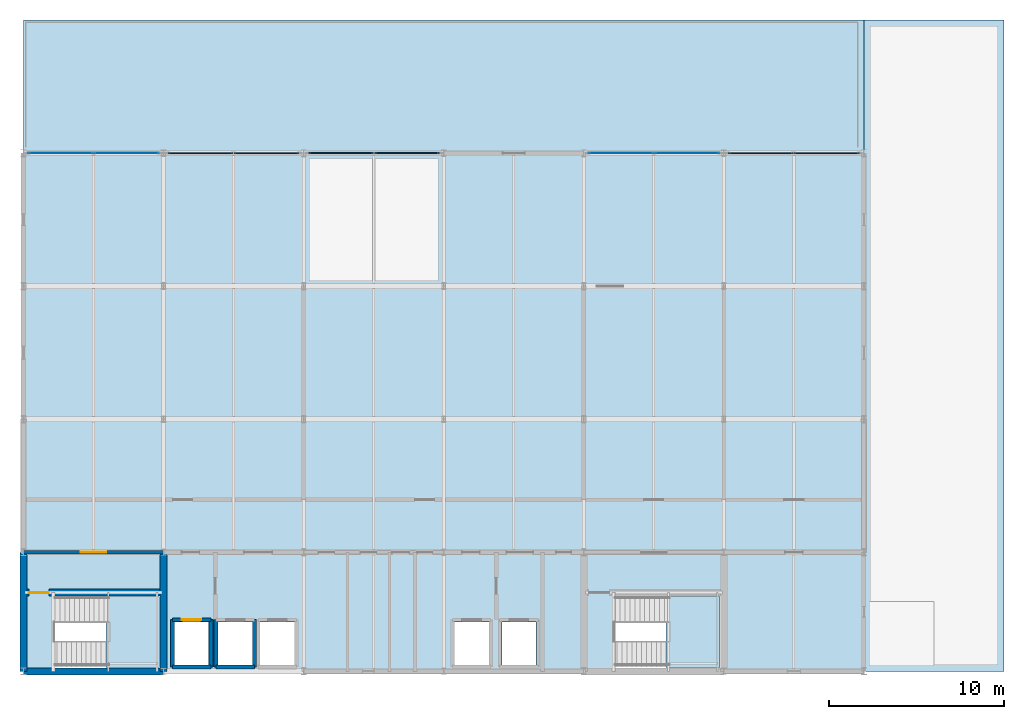
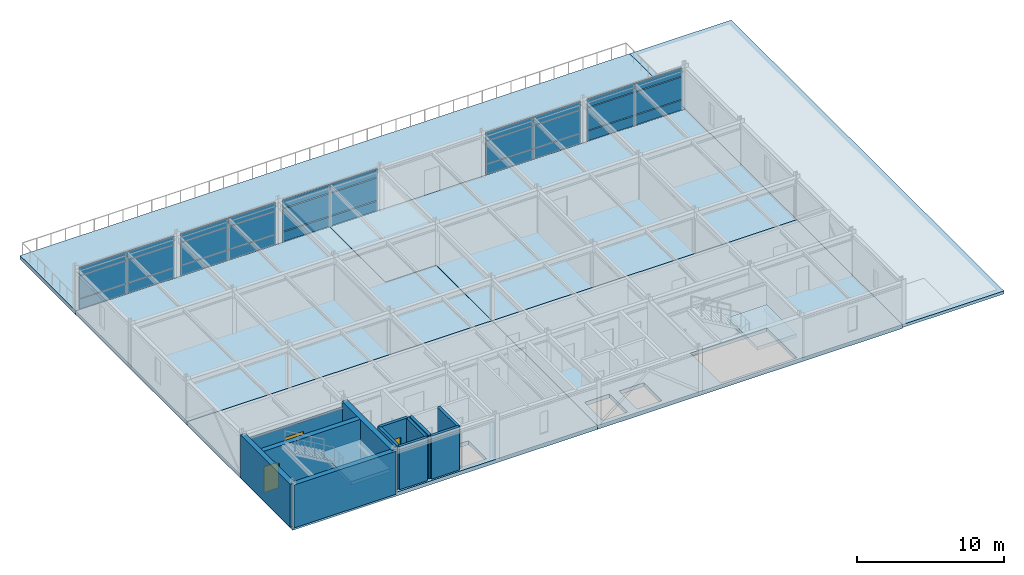
# One storey, part 8 of 12: 30 plates, 12 walls, 8 slabs, 3 doors, 3 openings, 7 elements without a shape of their own.
"""IFC4 building model written with IfcOpenShell, lengths in metres."""

from ifc_helpers import new_model, si_unit, direction, frame, frame_2d, origin, origin_2d, place, context, subcontext, project, spatial, polyline, rectangle, outline, extrude, material, layer, layer_set, type_object, element, fill, aggregate, save


model = new_model("IFC4")

# Units and contexts
model_context = context("Model", 3, precision=1e-05, world=origin(), true_north=direction((0.0, 1.0)))
body_context = subcontext(model_context, "Body", "Model", "MODEL_VIEW")
ifc_project = project(units=[si_unit("LENGTHUNIT", "METRE"), si_unit("AREAUNIT", "SQUARE_METRE"), si_unit("VOLUMEUNIT", "CUBIC_METRE"), si_unit("PLANEANGLEUNIT", "RADIAN"), si_unit("MASSUNIT", "GRAM", prefix="KILO")], contexts=[model_context])

# Site, building, storey
site_placement = place(None, origin())
site = spatial("IfcSite", under=ifc_project, at=site_placement, CompositionType="ELEMENT")
building_placement = place(site_placement, origin())
building = spatial("IfcBuilding", under=site, at=building_placement, Name="Shalkamar Park Central Library", CompositionType="ELEMENT")
storey_placement = place(building_placement, frame((0.0, 0.0, 56.10009765625)))
storey = spatial("IfcBuildingStorey", under=building, at=storey_placement, Name="L14", CompositionType="ELEMENT", Elevation=56.10009765625)

# Slab
ifc_material_1 = material(Name="Concrete C35/45", Category="concrete")
ifc_layer_1 = layer(ifc_material_1, 0.25)
ifc_layer_set_1 = layer_set([ifc_layer_1], Name="Concrete C35/45")
slab_type_1 = type_object("IfcSlabType", Name="Flat Roof Slab 140", PredefinedType="ROOF", material=ifc_layer_set_1)
slab_1_placement = place(storey_placement, frame((0.0, 0.0, -0.25)))
element("IfcSlab", 1, at=slab_1_placement, inside=storey, type_object=slab_type_1, Name="Flat Roof Slab RF-L13-E", PredefinedType="ROOF", context=body_context, shape_type="SweptSolid", body=[
    extrude(outline(polyline([(213.0, 248.39990234375), (221.0, 248.39990234375), (221.0, 285.60009765625), (213.0, 285.60009765625), (213.0, 248.39990234375)])), origin(), (0.0, 0.0, 1.0), 0.25),
])

# Curtain wall, plates
ifc_material_2 = material(Name="Thermally broken aluminium and triple low-e curtain wall", Category="aluminium")
ifc_layer_2 = layer(ifc_material_2, 0.264892578125)
ifc_layer_set_2 = layer_set([ifc_layer_2], Name="UnitisedCurtainWall_99")
curtain_wall_type_1 = type_object("IfcCurtainWallType", Name="Unitised Curtain Wall 99", PredefinedType="USERDEFINED", material=ifc_layer_set_2)
curtain_wall_1_placement = place(storey_placement, origin())
curtain_wall_1 = element("IfcCurtainWall", 2, at=curtain_wall_1_placement, inside=storey, type_object=curtain_wall_type_1, Name="Unitised Curtain Wall CW-L14-153", ObjectType="UNITISED CURTAIN WALL", PredefinedType="USERDEFINED")
ifc_material_3 = material(Name="Insulated aluminium spandrel panel", Category="aluminium")
ifc_layer_3 = layer(ifc_material_3, 0.080078125)
ifc_layer_set_3 = layer_set([ifc_layer_3], Name="SpandrelShadowboxPanel_80")
plate_type_1 = type_object("IfcPlateType", Name="Spandrel Shadowbox Panel 80", PredefinedType="CURTAIN_PANEL", material=ifc_layer_set_3)
plate_1_placement = place(storey_placement, frame((183.128173828125, 278.0, 0.06982421875), z_axis=(0.0, 0.0, 1.0), x_axis=(1.0, 0.0, 0.0)))
plate_1 = element("IfcPlate", 3, at=plate_1_placement, type_object=plate_type_1, Name="CW-99 panel 1.1", PredefinedType="CURTAIN_PANEL", context=body_context, shape_type="SweptSolid", body=[
    extrude(rectangle(XDim=3.678466796875, YDim=0.080078125, at=origin_2d()), origin(), (0.0, 0.0, 1.0), 0.794921875),
])
plate_2_placement = place(storey_placement, frame((183.128173828125, 278.0, 0.93505859375), z_axis=(0.0, 0.0, 1.0), x_axis=(1.0, 0.0, 0.0)))
plate_2 = element("IfcPlate", 4, at=plate_2_placement, type_object=plate_type_1, Name="CW-99 panel 1.2", PredefinedType="CURTAIN_PANEL", context=body_context, shape_type="SweptSolid", body=[
    extrude(rectangle(XDim=3.678466796875, YDim=0.080078125, at=origin_2d()), origin(), (0.0, 0.0, 1.0), 1.860107421875),
])
plate_3_placement = place(storey_placement, frame((183.128173828125, 278.0, 2.864990234375), z_axis=(0.0, 0.0, 1.0), x_axis=(1.0, 0.0, 0.0)))
plate_3 = element("IfcPlate", 5, at=plate_3_placement, type_object=plate_type_1, Name="CW-99 panel 1.3", PredefinedType="CURTAIN_PANEL", context=body_context, shape_type="SweptSolid", body=[
    extrude(rectangle(XDim=3.678466796875, YDim=0.080078125, at=origin_2d()), origin(), (0.0, 0.0, 1.0), 0.64501953125),
])
plate_4_placement = place(storey_placement, frame((186.891845703125, 278.0, 0.06982421875), z_axis=(0.0, 0.0, 1.0), x_axis=(1.0, 0.0, 0.0)))
plate_4 = element("IfcPlate", 6, at=plate_4_placement, type_object=plate_type_1, Name="CW-99 panel 2.1", PredefinedType="CURTAIN_PANEL", context=body_context, shape_type="SweptSolid", body=[
    extrude(rectangle(XDim=3.678466796875, YDim=0.080078125, at=origin_2d()), origin(), (0.0, 0.0, 1.0), 0.794921875),
])
plate_5_placement = place(storey_placement, frame((186.891845703125, 278.0, 0.93505859375), z_axis=(0.0, 0.0, 1.0), x_axis=(1.0, 0.0, 0.0)))
plate_5 = element("IfcPlate", 7, at=plate_5_placement, type_object=plate_type_1, Name="CW-99 panel 2.2", PredefinedType="CURTAIN_PANEL", context=body_context, shape_type="SweptSolid", body=[
    extrude(rectangle(XDim=3.678466796875, YDim=0.080078125, at=origin_2d()), origin(), (0.0, 0.0, 1.0), 1.860107421875),
])
plate_6_placement = place(storey_placement, frame((186.891845703125, 278.0, 2.864990234375), z_axis=(0.0, 0.0, 1.0), x_axis=(1.0, 0.0, 0.0)))
plate_6 = element("IfcPlate", 8, at=plate_6_placement, type_object=plate_type_1, Name="CW-99 panel 2.3", PredefinedType="CURTAIN_PANEL", context=body_context, shape_type="SweptSolid", body=[
    extrude(rectangle(XDim=3.678466796875, YDim=0.080078125, at=origin_2d()), origin(), (0.0, 0.0, 1.0), 0.64501953125),
])
aggregate(curtain_wall_1, [plate_1, plate_2, plate_3, plate_4, plate_5, plate_6])

# Stair, slab
stair_type = type_object("IfcStairType", Name="Protected Dog Leg Stair 150x390", PredefinedType="TWO_STRAIGHT_RUN_STAIR", material=ifc_material_1)
stair_1_placement = place(storey_placement, origin())
stair_1 = element("IfcStair", 9, at=stair_1_placement, inside=storey, type_object=stair_type, Name="Protected Core Stair ST-T1-L14", PredefinedType="TWO_STRAIGHT_RUN_STAIR")
ifc_layer_4 = layer(ifc_material_1, 0.280029296875)
ifc_layer_set_4 = layer_set([ifc_layer_4], Name="Concrete C35/45")
slab_type_2 = type_object("IfcSlabType", Name="Stair Landing Slab 160", PredefinedType="LANDING", material=ifc_layer_set_4)
slab_2_placement = place(storey_placement, frame((0.0, 0.0, 1.669921875)))
slab_2 = element("IfcSlab", 10, at=slab_2_placement, type_object=slab_type_2, Name="ST-T1-L14 landing 1", PredefinedType="LANDING", context=body_context, shape_type="SweptSolid", body=[
    extrude(outline(polyline([(169.699951171875, 248.6201171875), (172.780029296875, 248.6201171875), (172.780029296875, 252.679931640625), (169.699951171875, 252.679931640625), (169.699951171875, 248.6201171875)])), origin(), (0.0, 0.0, 1.0), 0.280029296875),
])
aggregate(stair_1, [slab_2])

stair_2_placement = place(storey_placement, origin())
stair_2 = element("IfcStair", 11, at=stair_2_placement, inside=storey, type_object=stair_type, Name="Protected Core Stair ST-T2-L14", PredefinedType="TWO_STRAIGHT_RUN_STAIR")
slab_3_placement = place(storey_placement, frame((0.0, 0.0, 1.669921875)))
slab_3 = element("IfcSlab", 12, at=slab_3_placement, type_object=slab_type_2, Name="ST-T2-L14 landing 1", PredefinedType="LANDING", context=body_context, shape_type="SweptSolid", body=[
    extrude(outline(polyline([(201.699951171875, 248.6201171875), (204.780029296875, 248.6201171875), (204.780029296875, 252.679931640625), (201.699951171875, 252.679931640625), (201.699951171875, 248.6201171875)])), origin(), (0.0, 0.0, 1.0), 0.280029296875),
])
aggregate(stair_2, [slab_3])

# Slabs
ifc_layer_5 = layer(ifc_material_1, 0.320068359375)
ifc_layer_set_5 = layer_set([ifc_layer_5], Name="Concrete C35/45")
slab_type_3 = type_object("IfcSlabType", Name="Suspended Floor Slab 320", PredefinedType="FLOOR", material=ifc_layer_set_5)
slab_4_placement = place(storey_placement, frame((0.0, 0.0, -0.320068359375)))
element("IfcSlab", 13, at=slab_4_placement, inside=storey, type_object=slab_type_3, Name="Level L14 Composite Floor Slab NW", PredefinedType="FLOOR", context=body_context, shape_type="SweptSolid", body=[
    extrude(outline(polyline([(165.0, 262.800048828125), (188.989990234375, 262.800048828125), (188.989990234375, 270.389892578125), (184.989990234375, 270.389892578125), (184.989990234375, 278.0), (165.0, 278.0), (165.0, 262.800048828125)])), origin(), (0.0, 0.0, 1.0), 0.320068359375),
])
slab_5_placement = place(storey_placement, frame((0.0, 0.0, -0.320068359375)))
element("IfcSlab", 14, at=slab_5_placement, inside=storey, type_object=slab_type_3, Name="Level L14 Composite Floor Slab NE", PredefinedType="FLOOR", context=body_context, shape_type="SweptSolid", body=[
    extrude(outline(polyline([(189.010009765625, 262.800048828125), (213.0, 262.800048828125), (213.0, 278.0), (185.010009765625, 278.0), (185.010009765625, 270.409912109375), (189.010009765625, 270.409912109375), (189.010009765625, 262.800048828125)])), origin(), (0.0, 0.0, 1.0), 0.320068359375),
])
slab_6_placement = place(storey_placement, frame((0.0, 0.0, -0.320068359375)))
element("IfcSlab", 15, at=slab_6_placement, inside=storey, type_object=slab_type_3, Name="Level L14 Composite Floor Slab SW", PredefinedType="FLOOR", context=body_context, shape_type="SweptSolid", body=[
    extrude(outline(polyline([(165.0, 248.39990234375), (165.0, 262.800048828125), (189.0, 262.800048828125), (189.0, 248.39990234375), (165.0, 248.39990234375)]), holes=[polyline([(173.6201171875, 248.77001953125), (175.580078125, 248.77001953125), (175.580078125, 251.22998046875), (173.6201171875, 251.22998046875), (173.6201171875, 248.77001953125)]), polyline([(176.1201171875, 251.22998046875), (176.1201171875, 248.77001953125), (178.080078125, 248.77001953125), (178.080078125, 251.22998046875), (176.1201171875, 251.22998046875)]), polyline([(178.52001953125, 251.22998046875), (178.52001953125, 248.77001953125), (180.47998046875, 248.77001953125), (180.47998046875, 251.22998046875), (178.52001953125, 251.22998046875)]), polyline([(166.800048828125, 252.699951171875), (166.800048828125, 248.60009765625), (172.800048828125, 248.60009765625), (172.800048828125, 252.699951171875), (166.800048828125, 252.699951171875)])]), origin(), (0.0, 0.0, 1.0), 0.320068359375),
])
slab_7_placement = place(storey_placement, frame((0.0, 0.0, -0.320068359375)))
element("IfcSlab", 16, at=slab_7_placement, inside=storey, type_object=slab_type_3, Name="Level L14 Composite Floor Slab SE", PredefinedType="FLOOR", context=body_context, shape_type="SweptSolid", body=[
    extrude(outline(polyline([(189.0, 248.39990234375), (189.0, 262.800048828125), (213.0, 262.800048828125), (213.0, 248.39990234375), (189.0, 248.39990234375)]), holes=[polyline([(189.6201171875, 251.22998046875), (189.6201171875, 248.77001953125), (191.580078125, 248.77001953125), (191.580078125, 251.22998046875), (189.6201171875, 251.22998046875)]), polyline([(192.320068359375, 251.22998046875), (192.320068359375, 248.77001953125), (194.280029296875, 248.77001953125), (194.280029296875, 251.22998046875), (192.320068359375, 251.22998046875)]), polyline([(198.800048828125, 252.699951171875), (198.800048828125, 248.60009765625), (204.800048828125, 248.60009765625), (204.800048828125, 252.699951171875), (198.800048828125, 252.699951171875)])]), origin(), (0.0, 0.0, 1.0), 0.320068359375),
])
slab_8_placement = place(storey_placement, frame((0.0, 0.0, -0.320068359375)))
element("IfcSlab", 17, at=slab_8_placement, inside=storey, type_object=slab_type_3, Name="Outdoor Reading Terrace Slab TER-L14-N", PredefinedType="FLOOR", context=body_context, shape_type="SweptSolid", body=[
    extrude(outline(polyline([(165.0, 278.0), (213.0, 278.0), (213.0, 285.60009765625), (165.0, 285.60009765625), (165.0, 278.0)])), origin(), (0.0, 0.0, 1.0), 0.320068359375),
])

# Curtain wall, plates
ifc_layer_6 = layer(ifc_material_2, 0.27001953125)
ifc_layer_set_6 = layer_set([ifc_layer_6], Name="UnitisedCurtainWall_98")
curtain_wall_type_2 = type_object("IfcCurtainWallType", Name="Unitised Curtain Wall 98", PredefinedType="USERDEFINED", material=ifc_layer_set_6)
curtain_wall_2_placement = place(storey_placement, origin())
curtain_wall_2 = element("IfcCurtainWall", 18, at=curtain_wall_2_placement, inside=storey, type_object=curtain_wall_type_2, Name="Unitised Curtain Wall CW-L14-152", ObjectType="UNITISED CURTAIN WALL", PredefinedType="USERDEFINED")
ifc_material_4 = material(Name="Triple-glazed laminated glass", Category="glass")
ifc_layer_7 = layer(ifc_material_4, 0.06005859375)
ifc_layer_set_7 = layer_set([ifc_layer_7], Name="TripleGlazedPodiumPanel_60")
plate_type_2 = type_object("IfcPlateType", Name="Triple Glazed Podium Panel 60", PredefinedType="CURTAIN_PANEL", material=ifc_layer_set_7)
plate_7_placement = place(storey_placement, frame((175.10693359375, 278.0, 0.06494140625), z_axis=(0.0, 0.0, 1.0), x_axis=(1.0, 0.0, 0.0)))
plate_7 = element("IfcPlate", 19, at=plate_7_placement, type_object=plate_type_2, Name="CW-98 panel 1.1", PredefinedType="CURTAIN_PANEL", context=body_context, shape_type="SweptSolid", body=[
    extrude(rectangle(XDim=3.68603515625, YDim=0.06005859375, at=origin_2d()), origin(), (0.0, 0.0, 1.0), 0.802490234375),
])
plate_8_placement = place(storey_placement, frame((175.10693359375, 278.0, 0.9326171875), z_axis=(0.0, 0.0, 1.0), x_axis=(1.0, 0.0, 0.0)))
plate_8 = element("IfcPlate", 20, at=plate_8_placement, type_object=plate_type_2, Name="CW-98 panel 1.2", PredefinedType="CURTAIN_PANEL", context=body_context, shape_type="SweptSolid", body=[
    extrude(rectangle(XDim=3.68603515625, YDim=0.06005859375, at=origin_2d()), origin(), (0.0, 0.0, 1.0), 1.864990234375),
])
plate_9_placement = place(storey_placement, frame((175.10693359375, 278.0, 2.8623046875), z_axis=(0.0, 0.0, 1.0), x_axis=(1.0, 0.0, 0.0)))
plate_9 = element("IfcPlate", 21, at=plate_9_placement, type_object=plate_type_2, Name="CW-98 panel 1.3", PredefinedType="CURTAIN_PANEL", context=body_context, shape_type="SweptSolid", body=[
    extrude(rectangle(XDim=3.68603515625, YDim=0.06005859375, at=origin_2d()), origin(), (0.0, 0.0, 1.0), 0.652587890625),
])
plate_10_placement = place(storey_placement, frame((178.873046875, 278.0, 0.06494140625), z_axis=(0.0, 0.0, 1.0), x_axis=(1.0, 0.0, 0.0)))
plate_10 = element("IfcPlate", 22, at=plate_10_placement, type_object=plate_type_2, Name="CW-98 panel 2.1", PredefinedType="CURTAIN_PANEL", context=body_context, shape_type="SweptSolid", body=[
    extrude(rectangle(XDim=3.68603515625, YDim=0.06005859375, at=origin_2d()), origin(), (0.0, 0.0, 1.0), 0.802490234375),
])
plate_11_placement = place(storey_placement, frame((178.873046875, 278.0, 0.9326171875), z_axis=(0.0, 0.0, 1.0), x_axis=(1.0, 0.0, 0.0)))
plate_11 = element("IfcPlate", 23, at=plate_11_placement, type_object=plate_type_2, Name="CW-98 panel 2.2", PredefinedType="CURTAIN_PANEL", context=body_context, shape_type="SweptSolid", body=[
    extrude(rectangle(XDim=3.68603515625, YDim=0.06005859375, at=origin_2d()), origin(), (0.0, 0.0, 1.0), 1.864990234375),
])
plate_12_placement = place(storey_placement, frame((178.873046875, 278.0, 2.8623046875), z_axis=(0.0, 0.0, 1.0), x_axis=(1.0, 0.0, 0.0)))
plate_12 = element("IfcPlate", 24, at=plate_12_placement, type_object=plate_type_2, Name="CW-98 panel 2.3", PredefinedType="CURTAIN_PANEL", context=body_context, shape_type="SweptSolid", body=[
    extrude(rectangle(XDim=3.68603515625, YDim=0.06005859375, at=origin_2d()), origin(), (0.0, 0.0, 1.0), 0.652587890625),
])
aggregate(curtain_wall_2, [plate_7, plate_8, plate_9, plate_10, plate_11, plate_12])

ifc_layer_8 = layer(ifc_material_2, 0.260009765625)
ifc_layer_set_8 = layer_set([ifc_layer_8], Name="UnitisedCurtainWall_101")
curtain_wall_type_3 = type_object("IfcCurtainWallType", Name="Unitised Curtain Wall 101", PredefinedType="USERDEFINED", material=ifc_layer_set_8)
curtain_wall_3_placement = place(storey_placement, origin())
curtain_wall_3 = element("IfcCurtainWall", 25, at=curtain_wall_3_placement, inside=storey, type_object=curtain_wall_type_3, Name="Unitised Curtain Wall CW-L14-155", ObjectType="UNITISED CURTAIN WALL", PredefinedType="USERDEFINED")
plate_13_placement = place(storey_placement, frame((207.105712890625, 278.0, 0.059814453125), z_axis=(0.0, 0.0, 1.0), x_axis=(1.0, 0.0, 0.0)))
plate_13 = element("IfcPlate", 26, at=plate_13_placement, type_object=plate_type_2, Name="CW-101 panel 1.1", PredefinedType="CURTAIN_PANEL", context=body_context, shape_type="SweptSolid", body=[
    extrude(rectangle(XDim=3.693603515625, YDim=0.06005859375, at=origin_2d()), origin(), (0.0, 0.0, 1.0), 0.81005859375),
])
plate_14_placement = place(storey_placement, frame((207.105712890625, 278.0, 0.929931640625), z_axis=(0.0, 0.0, 1.0), x_axis=(1.0, 0.0, 0.0)))
plate_14 = element("IfcPlate", 27, at=plate_14_placement, type_object=plate_type_2, Name="CW-101 panel 1.2", PredefinedType="CURTAIN_PANEL", context=body_context, shape_type="SweptSolid", body=[
    extrude(rectangle(XDim=3.693603515625, YDim=0.06005859375, at=origin_2d()), origin(), (0.0, 0.0, 1.0), 1.8701171875),
])
plate_15_placement = place(storey_placement, frame((207.105712890625, 278.0, 2.85986328125), z_axis=(0.0, 0.0, 1.0), x_axis=(1.0, 0.0, 0.0)))
plate_15 = element("IfcPlate", 28, at=plate_15_placement, type_object=plate_type_2, Name="CW-101 panel 1.3", PredefinedType="CURTAIN_PANEL", context=body_context, shape_type="SweptSolid", body=[
    extrude(rectangle(XDim=3.693603515625, YDim=0.06005859375, at=origin_2d()), origin(), (0.0, 0.0, 1.0), 0.659912109375),
])
plate_16_placement = place(storey_placement, frame((210.874267578125, 278.0, 0.059814453125), z_axis=(0.0, 0.0, 1.0), x_axis=(1.0, 0.0, 0.0)))
plate_16 = element("IfcPlate", 29, at=plate_16_placement, type_object=plate_type_2, Name="CW-101 panel 2.1", PredefinedType="CURTAIN_PANEL", context=body_context, shape_type="SweptSolid", body=[
    extrude(rectangle(XDim=3.693603515625, YDim=0.06005859375, at=origin_2d()), origin(), (0.0, 0.0, 1.0), 0.81005859375),
])
plate_17_placement = place(storey_placement, frame((210.874267578125, 278.0, 0.929931640625), z_axis=(0.0, 0.0, 1.0), x_axis=(1.0, 0.0, 0.0)))
plate_17 = element("IfcPlate", 30, at=plate_17_placement, type_object=plate_type_2, Name="CW-101 panel 2.2", PredefinedType="CURTAIN_PANEL", context=body_context, shape_type="SweptSolid", body=[
    extrude(rectangle(XDim=3.693603515625, YDim=0.06005859375, at=origin_2d()), origin(), (0.0, 0.0, 1.0), 1.8701171875),
])
plate_18_placement = place(storey_placement, frame((210.874267578125, 278.0, 2.85986328125), z_axis=(0.0, 0.0, 1.0), x_axis=(1.0, 0.0, 0.0)))
plate_18 = element("IfcPlate", 31, at=plate_18_placement, type_object=plate_type_2, Name="CW-101 panel 2.3", PredefinedType="CURTAIN_PANEL", context=body_context, shape_type="SweptSolid", body=[
    extrude(rectangle(XDim=3.693603515625, YDim=0.06005859375, at=origin_2d()), origin(), (0.0, 0.0, 1.0), 0.659912109375),
])
aggregate(curtain_wall_3, [plate_13, plate_14, plate_15, plate_16, plate_17, plate_18])

ifc_layer_9 = layer(ifc_material_2, 0.2548828125)
ifc_layer_set_9 = layer_set([ifc_layer_9], Name="UnitisedCurtainWall_97")
curtain_wall_type_4 = type_object("IfcCurtainWallType", Name="Unitised Curtain Wall 97", PredefinedType="USERDEFINED", material=ifc_layer_set_9)
curtain_wall_4_placement = place(storey_placement, origin())
curtain_wall_4 = element("IfcCurtainWall", 32, at=curtain_wall_4_placement, inside=storey, type_object=curtain_wall_type_4, Name="Unitised Curtain Wall CW-L14-151", ObjectType="UNITISED CURTAIN WALL", PredefinedType="USERDEFINED")
ifc_material_5 = material(Name="Triple-glazed low-e safety glass", Category="glass")
ifc_layer_10 = layer(ifc_material_5, 0.0439453125)
ifc_layer_set_10 = layer_set([ifc_layer_10], Name="TripleGlazedVisionPanel_44")
plate_type_3 = type_object("IfcPlateType", Name="Triple Glazed Vision Panel 44", PredefinedType="CURTAIN_PANEL", material=ifc_layer_set_10)
plate_19_placement = place(storey_placement, frame((167.126953125, 278.0, 0.06494140625), z_axis=(0.0, 0.0, 1.0), x_axis=(1.0, 0.0, 0.0)))
plate_19 = element("IfcPlate", 33, at=plate_19_placement, type_object=plate_type_3, Name="CW-97 panel 1.1", PredefinedType="CURTAIN_PANEL", context=body_context, shape_type="SweptSolid", body=[
    extrude(rectangle(XDim=3.68603515625, YDim=0.0439453125, at=origin_2d()), origin(), (0.0, 0.0, 1.0), 0.802490234375),
])
plate_20_placement = place(storey_placement, frame((167.126953125, 278.0, 0.9326171875), z_axis=(0.0, 0.0, 1.0), x_axis=(1.0, 0.0, 0.0)))
plate_20 = element("IfcPlate", 34, at=plate_20_placement, type_object=plate_type_3, Name="CW-97 panel 1.2", PredefinedType="CURTAIN_PANEL", context=body_context, shape_type="SweptSolid", body=[
    extrude(rectangle(XDim=3.68603515625, YDim=0.0439453125, at=origin_2d()), origin(), (0.0, 0.0, 1.0), 1.864990234375),
])
plate_21_placement = place(storey_placement, frame((167.126953125, 278.0, 2.8623046875), z_axis=(0.0, 0.0, 1.0), x_axis=(1.0, 0.0, 0.0)))
plate_21 = element("IfcPlate", 35, at=plate_21_placement, type_object=plate_type_3, Name="CW-97 panel 1.3", PredefinedType="CURTAIN_PANEL", context=body_context, shape_type="SweptSolid", body=[
    extrude(rectangle(XDim=3.68603515625, YDim=0.0439453125, at=origin_2d()), origin(), (0.0, 0.0, 1.0), 0.652587890625),
])
plate_22_placement = place(storey_placement, frame((170.89306640625, 278.0, 0.06494140625), z_axis=(0.0, 0.0, 1.0), x_axis=(1.0, 0.0, 0.0)))
plate_22 = element("IfcPlate", 36, at=plate_22_placement, type_object=plate_type_3, Name="CW-97 panel 2.1", PredefinedType="CURTAIN_PANEL", context=body_context, shape_type="SweptSolid", body=[
    extrude(rectangle(XDim=3.68603515625, YDim=0.0439453125, at=origin_2d()), origin(), (0.0, 0.0, 1.0), 0.802490234375),
])
plate_23_placement = place(storey_placement, frame((170.89306640625, 278.0, 0.9326171875), z_axis=(0.0, 0.0, 1.0), x_axis=(1.0, 0.0, 0.0)))
plate_23 = element("IfcPlate", 37, at=plate_23_placement, type_object=plate_type_3, Name="CW-97 panel 2.2", PredefinedType="CURTAIN_PANEL", context=body_context, shape_type="SweptSolid", body=[
    extrude(rectangle(XDim=3.68603515625, YDim=0.0439453125, at=origin_2d()), origin(), (0.0, 0.0, 1.0), 1.864990234375),
])
plate_24_placement = place(storey_placement, frame((170.89306640625, 278.0, 2.8623046875), z_axis=(0.0, 0.0, 1.0), x_axis=(1.0, 0.0, 0.0)))
plate_24 = element("IfcPlate", 38, at=plate_24_placement, type_object=plate_type_3, Name="CW-97 panel 2.3", PredefinedType="CURTAIN_PANEL", context=body_context, shape_type="SweptSolid", body=[
    extrude(rectangle(XDim=3.68603515625, YDim=0.0439453125, at=origin_2d()), origin(), (0.0, 0.0, 1.0), 0.652587890625),
])
aggregate(curtain_wall_4, [plate_19, plate_20, plate_21, plate_22, plate_23, plate_24])

ifc_layer_11 = layer(ifc_material_2, 0.25)
ifc_layer_set_11 = layer_set([ifc_layer_11], Name="UnitisedCurtainWall_100")
curtain_wall_type_5 = type_object("IfcCurtainWallType", Name="Unitised Curtain Wall 100", PredefinedType="USERDEFINED", material=ifc_layer_set_11)
curtain_wall_5_placement = place(storey_placement, origin())
curtain_wall_5 = element("IfcCurtainWall", 39, at=curtain_wall_5_placement, inside=storey, type_object=curtain_wall_type_5, Name="Unitised Curtain Wall CW-L14-154", ObjectType="UNITISED CURTAIN WALL", PredefinedType="USERDEFINED")
plate_25_placement = place(storey_placement, frame((199.125732421875, 278.0, 0.059814453125), z_axis=(0.0, 0.0, 1.0), x_axis=(1.0, 0.0, 0.0)))
plate_25 = element("IfcPlate", 40, at=plate_25_placement, type_object=plate_type_3, Name="CW-100 panel 1.1", PredefinedType="CURTAIN_PANEL", context=body_context, shape_type="SweptSolid", body=[
    extrude(rectangle(XDim=3.693603515625, YDim=0.0439453125, at=origin_2d()), origin(), (0.0, 0.0, 1.0), 0.81005859375),
])
plate_26_placement = place(storey_placement, frame((199.125732421875, 278.0, 0.929931640625), z_axis=(0.0, 0.0, 1.0), x_axis=(1.0, 0.0, 0.0)))
plate_26 = element("IfcPlate", 41, at=plate_26_placement, type_object=plate_type_3, Name="CW-100 panel 1.2", PredefinedType="CURTAIN_PANEL", context=body_context, shape_type="SweptSolid", body=[
    extrude(rectangle(XDim=3.693603515625, YDim=0.0439453125, at=origin_2d()), origin(), (0.0, 0.0, 1.0), 1.8701171875),
])
plate_27_placement = place(storey_placement, frame((199.125732421875, 278.0, 2.85986328125), z_axis=(0.0, 0.0, 1.0), x_axis=(1.0, 0.0, 0.0)))
plate_27 = element("IfcPlate", 42, at=plate_27_placement, type_object=plate_type_3, Name="CW-100 panel 1.3", PredefinedType="CURTAIN_PANEL", context=body_context, shape_type="SweptSolid", body=[
    extrude(rectangle(XDim=3.693603515625, YDim=0.0439453125, at=origin_2d()), origin(), (0.0, 0.0, 1.0), 0.659912109375),
])
plate_28_placement = place(storey_placement, frame((202.894287109375, 278.0, 0.059814453125), z_axis=(0.0, 0.0, 1.0), x_axis=(1.0, 0.0, 0.0)))
plate_28 = element("IfcPlate", 43, at=plate_28_placement, type_object=plate_type_3, Name="CW-100 panel 2.1", PredefinedType="CURTAIN_PANEL", context=body_context, shape_type="SweptSolid", body=[
    extrude(rectangle(XDim=3.693603515625, YDim=0.0439453125, at=origin_2d()), origin(), (0.0, 0.0, 1.0), 0.81005859375),
])
plate_29_placement = place(storey_placement, frame((202.894287109375, 278.0, 0.929931640625), z_axis=(0.0, 0.0, 1.0), x_axis=(1.0, 0.0, 0.0)))
plate_29 = element("IfcPlate", 44, at=plate_29_placement, type_object=plate_type_3, Name="CW-100 panel 2.2", PredefinedType="CURTAIN_PANEL", context=body_context, shape_type="SweptSolid", body=[
    extrude(rectangle(XDim=3.693603515625, YDim=0.0439453125, at=origin_2d()), origin(), (0.0, 0.0, 1.0), 1.8701171875),
])
plate_30_placement = place(storey_placement, frame((202.894287109375, 278.0, 2.85986328125), z_axis=(0.0, 0.0, 1.0), x_axis=(1.0, 0.0, 0.0)))
plate_30 = element("IfcPlate", 45, at=plate_30_placement, type_object=plate_type_3, Name="CW-100 panel 2.3", PredefinedType="CURTAIN_PANEL", context=body_context, shape_type="SweptSolid", body=[
    extrude(rectangle(XDim=3.693603515625, YDim=0.0439453125, at=origin_2d()), origin(), (0.0, 0.0, 1.0), 0.659912109375),
])
aggregate(curtain_wall_5, [plate_25, plate_26, plate_27, plate_28, plate_29, plate_30])

# Wall, opening, door
ifc_material_6 = material(Name="Fire-rated corridor partition wall", Category="masonry")
ifc_layer_12 = layer(ifc_material_6, 0.199951171875)
ifc_layer_set_12 = layer_set([ifc_layer_12], Name="CorridorFireWall_200")
wall_type_1 = type_object("IfcWallType", Name="Corridor Fire Wall 200", PredefinedType="PARTITIONING", material=ifc_layer_set_12)
wall_1_placement = place(storey_placement, frame((165.0, 255.199951171875, 0.0), z_axis=(0.0, 0.0, 1.0), x_axis=(1.0, 0.0, 0.0)))
wall_1 = element("IfcWall", 46, at=wall_1_placement, inside=storey, type_object=wall_type_1, Name="CORE-T1 Vestibule North Wall (L14)", PredefinedType="PARTITIONING", context=body_context, shape_type="SweptSolid", body=[
    extrude(rectangle(XDim=8.0, YDim=0.199951171875, at=frame_2d((4.0, 0.0))), origin(), (0.0, 0.0, 1.0), 3.02783203125),
])
opening_1_placement = place(wall_1_placement, frame((3.27490234375, 0.0, 0.0)))
opening_1 = element("IfcOpeningElement", 47, at=opening_1_placement, cuts=wall_1, Name="Opening DR-ST-T1-L14-VEST", PredefinedType="OPENING", context=body_context, shape_type="SweptSolid", body=[
    extrude(rectangle(XDim=1.449951171875, YDim=2.199951171875, at=frame_2d((0.72509765625, 1.10009765625))), frame((0.0, 0.11474609375, 0.0), z_axis=(0.0, -1.0, 0.0), x_axis=(1.0, 0.0, 0.0)), (0.0, 0.0, 1.0), 0.229736328125),
])
ifc_material_7 = material(Name="Steel S355", Category="steel")
door_type_1 = type_object("IfcDoorType", Name="Stair Vestibule Door 1450x2200", OperationType="DOUBLE_DOOR_SINGLE_SWING", PredefinedType="DOOR", material=ifc_material_7)
door_1_placement = place(opening_1_placement, frame((1.449951171875, 0.0, 0.0), z_axis=(0.0, 0.0, 1.0), x_axis=(-1.0, 0.0, 0.0)))
door_1 = element("IfcDoor", 48, at=door_1_placement, inside=storey, type_object=door_type_1, Name="Protected Stair ST-T1 Vestibule Door (L14)", OperationType="DOUBLE_DOOR_SINGLE_SWING", OverallHeight=2.199951171875, OverallWidth=1.449951171875, PredefinedType="DOOR", context=body_context, shape_type="SweptSolid", body=[
    extrude(rectangle(XDim=1.449951171875, YDim=2.199951171875, at=frame_2d((0.72509765625, 1.10009765625))), frame((0.0, 0.02490234375, 0.0), z_axis=(0.0, -1.0, 0.0), x_axis=(1.0, 0.0, 0.0)), (0.0, 0.0, 1.0), 0.050048828125),
])
fill(opening_1, door_1)

# Walls
ifc_material_8 = material(Name="Concrete C40/50", Category="concrete")
ifc_layer_13 = layer(ifc_material_8, 0.219970703125)
ifc_layer_set_13 = layer_set([ifc_layer_13], Name="Concrete C40/50")
wall_type_2 = type_object("IfcWallType", Name="Lift Hoistway Shear Wall 220", PredefinedType="SHEAR", material=ifc_layer_set_13)
wall_2_placement = place(storey_placement, frame((173.5, 248.64990234375, 0.0), z_axis=(0.0, 0.0, 1.0), x_axis=(1.0, 0.0, 0.0)))
element("IfcWall", 49, at=wall_2_placement, inside=storey, type_object=wall_type_2, Name="Lift FFL-01 Hoistway South Wall (L14)", PredefinedType="SHEAR", context=body_context, shape_type="SweptSolid", body=[
    extrude(rectangle(XDim=2.199951171875, YDim=0.219970703125, at=frame_2d((1.10009765625, 0.0))), origin(), (0.0, 0.0, 1.0), 3.579833984375),
])
for number, where, z_axis, x_axis, name in (
    (50, (173.5, 248.64990234375, 0.0), (0.0, 0.0, 1.0), (0.0, 1.0, 0.0), "Lift FFL-01 Hoistway West Wall (L14)"),
    (51, (175.699951171875, 248.64990234375, 0.0), (0.0, 0.0, 1.0), (0.0, 1.0, 0.0), "Lift FFL-01 Hoistway East Wall (L14)"),
):
    element("IfcWall", number, at=place(storey_placement, frame(where, z_axis=z_axis, x_axis=x_axis)), inside=storey, type_object=wall_type_2, Name=name, PredefinedType="SHEAR", context=body_context, shape_type="SweptSolid", body=[
        extrude(rectangle(XDim=2.7001953125, YDim=0.219970703125, at=frame_2d((1.35009765625, 0.0))), origin(), (0.0, 0.0, 1.0), 3.579833984375),
    ])

# Wall, opening, door
wall_3_placement = place(storey_placement, frame((173.5, 251.35009765625, 0.0), z_axis=(0.0, 0.0, 1.0), x_axis=(1.0, 0.0, 0.0)))
wall_3 = element("IfcWall", 52, at=wall_3_placement, inside=storey, type_object=wall_type_2, Name="Lift FFL-01 Hoistway Front Wall (L14)", PredefinedType="SHEAR", context=body_context, shape_type="SweptSolid", body=[
    extrude(rectangle(XDim=2.199951171875, YDim=0.219970703125, at=frame_2d((1.10009765625, 0.0))), origin(), (0.0, 0.0, 1.0), 3.579833984375),
])
opening_2_placement = place(wall_3_placement, frame((0.550048828125, 0.0, 0.0)))
opening_2 = element("IfcOpeningElement", 53, at=opening_2_placement, cuts=wall_3, Name="Opening LD-FFL-01-L14", PredefinedType="OPENING", context=body_context, shape_type="SweptSolid", body=[
    extrude(rectangle(XDim=1.10009765625, YDim=2.14990234375, at=frame_2d((0.550048828125, 1.074951171875))), frame((0.0, 0.125, 0.0), z_axis=(0.0, -1.0, 0.0), x_axis=(1.0, 0.0, 0.0)), (0.0, 0.0, 1.0), 0.249755859375),
])
door_type_2 = type_object("IfcDoorType", Name="Fire Lift Landing Door 1100x2150", OperationType="DOUBLE_DOOR_SLIDING", PredefinedType="USERDEFINED", material=ifc_material_7)
door_2_placement = place(opening_2_placement, origin())
door_2 = element("IfcDoor", 54, at=door_2_placement, inside=storey, type_object=door_type_2, Name="Lift FFL-01 Sliding Landing Door (L14)", ObjectType="SLIDING LANDING DOOR", OperationType="DOUBLE_DOOR_SLIDING", OverallHeight=2.14990234375, OverallWidth=1.10009765625, PredefinedType="USERDEFINED", context=body_context, shape_type="SweptSolid", body=[
    extrude(rectangle(XDim=1.10009765625, YDim=2.14990234375, at=frame_2d((0.550048828125, 1.074951171875))), frame((0.0, 0.02490234375, 0.0), z_axis=(0.0, -1.0, 0.0), x_axis=(1.0, 0.0, 0.0)), (0.0, 0.0, 1.0), 0.050048828125),
])
fill(opening_2, door_2)

# Walls
wall_4_placement = place(storey_placement, frame((176.0, 248.64990234375, 0.0), z_axis=(0.0, 0.0, 1.0), x_axis=(1.0, 0.0, 0.0)))
element("IfcWall", 55, at=wall_4_placement, inside=storey, type_object=wall_type_2, Name="Lift LT-01 Hoistway South Wall (L14)", PredefinedType="SHEAR", context=body_context, shape_type="SweptSolid", body=[
    extrude(rectangle(XDim=2.199951171875, YDim=0.219970703125, at=frame_2d((1.10009765625, 0.0))), origin(), (0.0, 0.0, 1.0), 3.579833984375),
])
for number, where, z_axis, x_axis, name in (
    (56, (176.0, 248.64990234375, 0.0), (0.0, 0.0, 1.0), (0.0, 1.0, 0.0), "Lift LT-01 Hoistway West Wall (L14)"),
    (57, (178.199951171875, 248.64990234375, 0.0), (0.0, 0.0, 1.0), (0.0, 1.0, 0.0), "Lift LT-01 Hoistway East Wall (L14)"),
):
    element("IfcWall", number, at=place(storey_placement, frame(where, z_axis=z_axis, x_axis=x_axis)), inside=storey, type_object=wall_type_2, Name=name, PredefinedType="SHEAR", context=body_context, shape_type="SweptSolid", body=[
        extrude(rectangle(XDim=2.7001953125, YDim=0.219970703125, at=frame_2d((1.35009765625, 0.0))), origin(), (0.0, 0.0, 1.0), 3.579833984375),
    ])
ifc_layer_14 = layer(ifc_material_8, 0.39990234375)
ifc_layer_set_14 = layer_set([ifc_layer_14], Name="Concrete C40/50")
wall_type_3 = type_object("IfcWallType", Name="Tower Core Shear Wall 400", PredefinedType="SHEAR", material=ifc_layer_set_14)
wall_5_placement = place(storey_placement, frame((165.0, 248.39990234375, 0.0), z_axis=(0.0, 0.0, 1.0), x_axis=(1.0, 0.0, 0.0)))
element("IfcWall", 58, at=wall_5_placement, inside=storey, type_object=wall_type_3, Name="CORE-T1 South Shear Wall (L14)", PredefinedType="SHEAR", context=body_context, shape_type="SweptSolid", body=[
    extrude(rectangle(XDim=8.0, YDim=0.39990234375, at=frame_2d((4.0, 0.0))), origin(), (0.0, 0.0, 1.0), 3.579833984375),
])
for number, where, z_axis, x_axis, name in (
    (59, (165.0, 248.39990234375, 0.0), (0.0, 0.0, 1.0), (0.0, 1.0, 0.0), "CORE-T1 West Shear Wall (L14)"),
    (60, (173.0, 248.39990234375, 0.0), (0.0, 0.0, 1.0), (0.0, 1.0, 0.0), "CORE-T1 East Shear Wall (L14)"),
):
    element("IfcWall", number, at=place(storey_placement, frame(where, z_axis=z_axis, x_axis=x_axis)), inside=storey, type_object=wall_type_3, Name=name, PredefinedType="SHEAR", context=body_context, shape_type="SweptSolid", body=[
        extrude(rectangle(XDim=6.800048828125, YDim=0.39990234375, at=frame_2d((3.39990234375, 0.0))), origin(), (0.0, 0.0, 1.0), 3.579833984375),
    ])

# Wall, opening, door
wall_6_placement = place(storey_placement, frame((165.0, 252.89990234375, 0.0), z_axis=(0.0, 0.0, 1.0), x_axis=(1.0, 0.0, 0.0)))
wall_6 = element("IfcWall", 61, at=wall_6_placement, inside=storey, type_object=wall_type_3, Name="CORE-T1 Stairwell Wall (L14)", PredefinedType="SHEAR", context=body_context, shape_type="SweptSolid", body=[
    extrude(rectangle(XDim=8.0, YDim=0.39990234375, at=frame_2d((4.0, 0.0))), origin(), (0.0, 0.0, 1.0), 3.579833984375),
])
opening_3_placement = place(wall_6_placement, frame((0.300048828125, 0.0, 0.0)))
opening_3 = element("IfcOpeningElement", 62, at=opening_3_placement, cuts=wall_6, Name="Opening DR-ST-T1-L14-IN", PredefinedType="OPENING", context=body_context, shape_type="SweptSolid", body=[
    extrude(rectangle(XDim=1.14990234375, YDim=2.14990234375, at=frame_2d((0.574951171875, 1.074951171875))), frame((0.0, 0.21484375, 0.0), z_axis=(0.0, -1.0, 0.0), x_axis=(1.0, 0.0, 0.0)), (0.0, 0.0, 1.0), 0.4296875),
])
door_type_3 = type_object("IfcDoorType", Name="Stair Core Exit Door 1150x2150", OperationType="NOTDEFINED", PredefinedType="DOOR", material=ifc_material_7)
door_3_placement = place(opening_3_placement, frame((1.14990234375, 0.0, 0.0), z_axis=(0.0, 0.0, 1.0), x_axis=(-1.0, 0.0, 0.0)))
door_3 = element("IfcDoor", 63, at=door_3_placement, inside=storey, type_object=door_type_3, Name="Protected Stair ST-T1 Exit Door (L14)", OperationType="SINGLE_SWING_RIGHT", OverallHeight=2.14990234375, OverallWidth=1.14990234375, PredefinedType="DOOR", context=body_context, shape_type="SweptSolid", body=[
    extrude(rectangle(XDim=1.14990234375, YDim=2.14990234375, at=frame_2d((0.574951171875, 1.074951171875))), frame((0.0, 0.02490234375, 0.0), z_axis=(0.0, -1.0, 0.0), x_axis=(1.0, 0.0, 0.0)), (0.0, 0.0, 1.0), 0.050048828125),
])
fill(opening_3, door_3)

save(model, "model.ifc")
